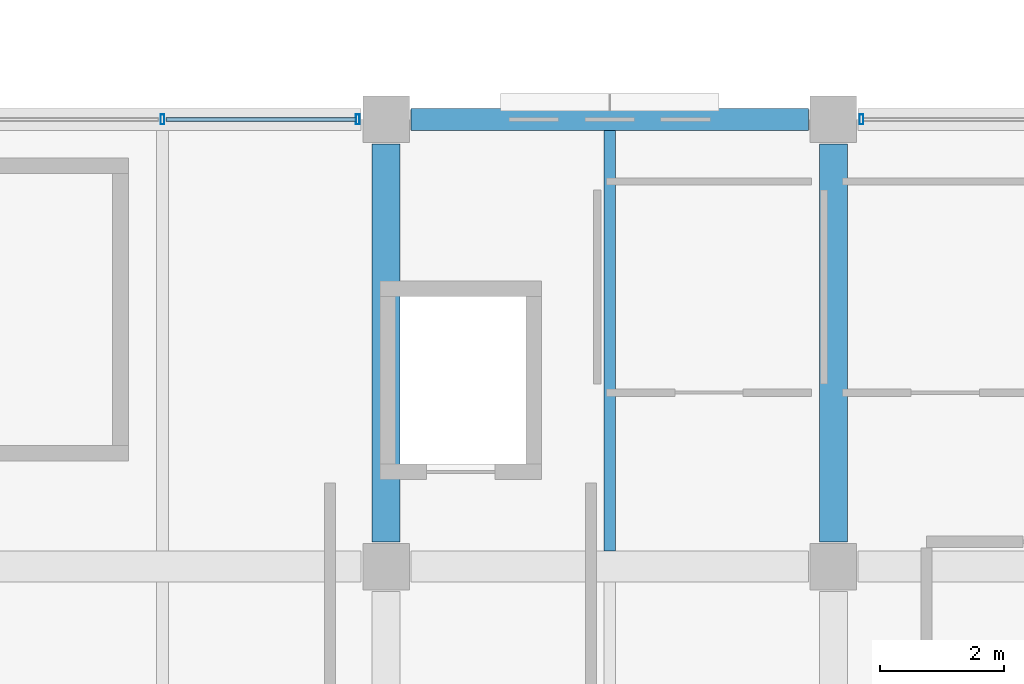
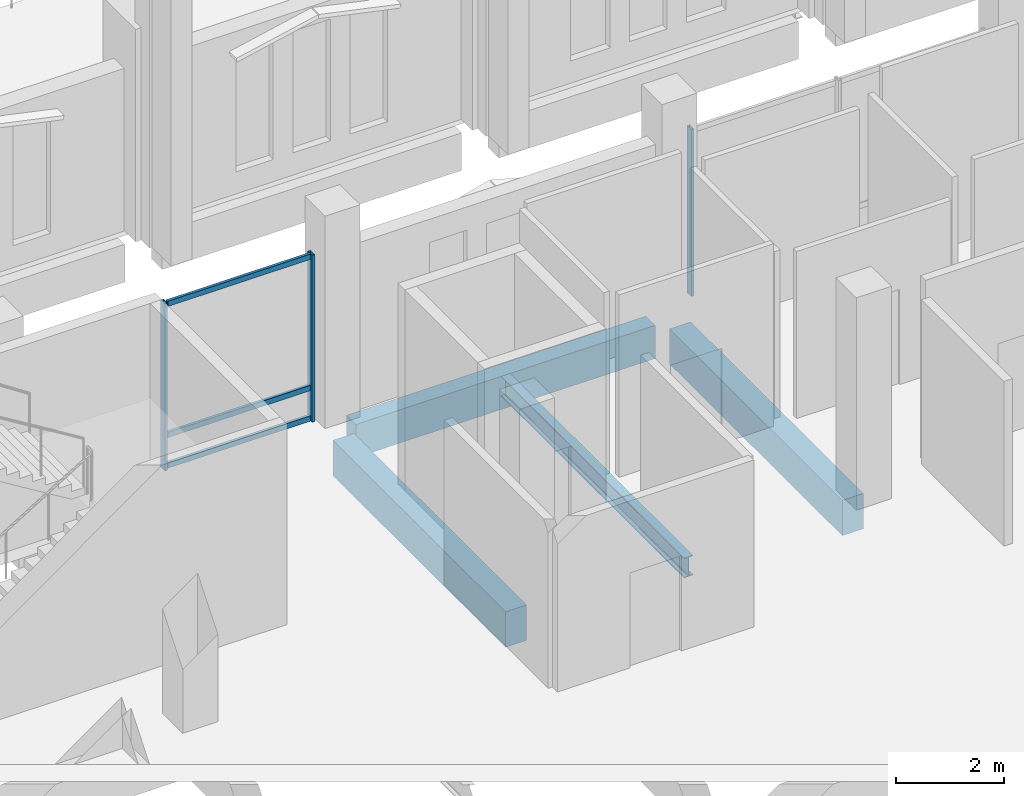
# One storey, part 75 of 193: 6 members, 4 beams, 2 elements without a shape of their own.
"""IFC4 building model written with IfcOpenShell, lengths in metres."""

from ifc_helpers import new_model, si_unit, direction, frame, origin, origin_2d, place, context, subcontext, project, spatial, rectangle, hollow_rectangle, i_section, extrude, material, material_profile, profile_set, type_object, element, aggregate, save


model = new_model("IFC4")

# Units and contexts
model_context = context("Model", 3, precision=1e-05, world=origin(), true_north=direction((0.0, 1.0)))
body_context = subcontext(model_context, "Body", "Model", "MODEL_VIEW")
ifc_project = project(units=[si_unit("LENGTHUNIT", "METRE"), si_unit("AREAUNIT", "SQUARE_METRE"), si_unit("VOLUMEUNIT", "CUBIC_METRE"), si_unit("PLANEANGLEUNIT", "RADIAN"), si_unit("MASSUNIT", "GRAM", prefix="KILO")], contexts=[model_context])

# Site, building, storey
site_placement = place(None, origin())
site = spatial("IfcSite", under=ifc_project, at=site_placement, CompositionType="ELEMENT")
building_placement = place(site_placement, origin())
building = spatial("IfcBuilding", under=site, at=building_placement, Name="Cendralis Lancet Convention Centre", CompositionType="ELEMENT")
storey_placement = place(building_placement, frame((0.0, 0.0, 10.199951171875)))
storey = spatial("IfcBuildingStorey", under=building, at=storey_placement, Name="L02", CompositionType="ELEMENT", Elevation=10.199951171875)

# Curtain wall, members
ifc_material_1 = material(Name="Anodised bronze architectural aluminium", Category="aluminium")
curtain_wall_type = type_object("IfcCurtainWallType", Name="ARC-CW-CL02", PredefinedType="USERDEFINED", material=ifc_material_1)
curtain_wall_1_placement = place(storey_placement, origin())
curtain_wall_1 = element("IfcCurtainWall", 1, at=curtain_wall_1_placement, inside=storey, type_object=curtain_wall_type, Name="L02 Curtain Wall CW-CL2 #186", ObjectType="CURTAIN WALL", PredefinedType="USERDEFINED")
ifc_material_profile_1 = material_profile(ifc_material_1, hollow_rectangle(XDim=0.06005859375, YDim=0.159912109375, WallThickness=0.00390625, at=origin_2d()), Name="AL-MULL 60x160x4.0")
ifc_profile_set_1 = profile_set([ifc_material_profile_1], Name="Anodised bronze architectural aluminium")
member_type_1 = type_object("IfcMemberType", Name="ARC-CW-ML01", PredefinedType="MULLION", material=ifc_profile_set_1)
member_1_placement = place(storey_placement, frame((178.800048828125, 36.0, 0.0), z_axis=(0.0, 0.0, 1.0), x_axis=(1.0, 0.0, 0.0)))
member_1 = element("IfcMember", 2, at=member_1_placement, type_object=member_type_1, Name="Mullion CW2-CW-CL2-L02-186-M1", PredefinedType="MULLION", context=body_context, shape_type="SweptSolid", body=[
    extrude(hollow_rectangle(XDim=0.06005859375, YDim=0.159912109375, WallThickness=0.00390625, at=origin_2d()), origin(), (0.0, 0.0, 1.0), 3.775146484375),
])
member_2_placement = place(storey_placement, frame((181.945068359375, 36.0, 0.0), z_axis=(0.0, 0.0, 1.0), x_axis=(1.0, 0.0, 0.0)))
member_2 = element("IfcMember", 3, at=member_2_placement, type_object=member_type_1, Name="Mullion CW2-CW-CL2-L02-186-M2", PredefinedType="MULLION", context=body_context, shape_type="SweptSolid", body=[
    extrude(hollow_rectangle(XDim=0.06005859375, YDim=0.159912109375, WallThickness=0.00390625, at=origin_2d()), origin(), (0.0, 0.0, 1.0), 3.775146484375),
])

# Curtain wall, member
curtain_wall_2_placement = place(storey_placement, origin())
curtain_wall_2 = element("IfcCurtainWall", 4, at=curtain_wall_2_placement, inside=storey, type_object=curtain_wall_type, Name="L02 Curtain Wall CW-CL2 #187", ObjectType="CURTAIN WALL", PredefinedType="USERDEFINED")
member_3_placement = place(storey_placement, frame((190.054931640625, 36.0, 0.0), z_axis=(0.0, 0.0, 1.0), x_axis=(1.0, 0.0, 0.0)))
member_3 = element("IfcMember", 5, at=member_3_placement, type_object=member_type_1, Name="Mullion CW2-CW-CL2-L02-187-M0", PredefinedType="MULLION", context=body_context, shape_type="SweptSolid", body=[
    extrude(hollow_rectangle(XDim=0.06005859375, YDim=0.159912109375, WallThickness=0.00390625, at=origin_2d()), origin(), (0.0, 0.0, 1.0), 3.775146484375),
])
aggregate(curtain_wall_2, [member_3])

# Member
ifc_material_profile_2 = material_profile(ifc_material_1, hollow_rectangle(XDim=0.06005859375, YDim=0.1201171875, WallThickness=0.00390625, at=origin_2d()), Name="AL-TRAN 60x120x4.0")
ifc_profile_set_2 = profile_set([ifc_material_profile_2], Name="Anodised bronze architectural aluminium")
member_type_2 = type_object("IfcMemberType", Name="ARC-CW-TR01", PredefinedType="USERDEFINED", material=ifc_profile_set_2)
member_4_placement = place(storey_placement, frame((178.860107421875, 36.0, 0.06005859375), z_axis=(1.0, 0.0, 0.0), x_axis=(0.0, 1.0, 0.0)))
member_4 = element("IfcMember", 6, at=member_4_placement, type_object=member_type_2, Name="Transom CW2-CW-CL2-L02-186-T1BOT", ObjectType="TRANSOM", PredefinedType="USERDEFINED", context=body_context, shape_type="SweptSolid", body=[
    extrude(hollow_rectangle(XDim=0.06005859375, YDim=0.1201171875, WallThickness=0.00390625, at=origin_2d()), origin(), (0.0, 0.0, 1.0), 3.054931640625),
])

member_5_placement = place(storey_placement, frame((178.860107421875, 36.0, 0.75), z_axis=(1.0, 0.0, 0.0), x_axis=(0.0, 1.0, 0.0)))
member_5 = element("IfcMember", 7, at=member_5_placement, type_object=member_type_2, Name="Transom CW2-CW-CL2-L02-186-T1MID", ObjectType="TRANSOM", PredefinedType="USERDEFINED", context=body_context, shape_type="SweptSolid", body=[
    extrude(hollow_rectangle(XDim=0.06005859375, YDim=0.1201171875, WallThickness=0.00390625, at=origin_2d()), origin(), (0.0, 0.0, 1.0), 3.054931640625),
])

member_6_placement = place(storey_placement, frame((178.860107421875, 36.0, 3.715087890625), z_axis=(1.0, 0.0, 0.0), x_axis=(0.0, 1.0, 0.0)))
member_6 = element("IfcMember", 8, at=member_6_placement, type_object=member_type_2, Name="Transom CW2-CW-CL2-L02-186-T1TOP", ObjectType="TRANSOM", PredefinedType="USERDEFINED", context=body_context, shape_type="SweptSolid", body=[
    extrude(hollow_rectangle(XDim=0.06005859375, YDim=0.1201171875, WallThickness=0.00390625, at=origin_2d()), origin(), (0.0, 0.0, 1.0), 3.054931640625),
])

aggregate(curtain_wall_1, [member_1, member_2, member_4, member_5, member_6])

# Beams
ifc_material_2 = material(Name="Concrete G35 (C35/45)", Category="concrete")
ifc_material_profile_3 = material_profile(ifc_material_2, rectangle(XDim=0.449951171875, YDim=0.800048828125, at=origin_2d()), Name="RCB 450x800")
ifc_profile_set_3 = profile_set([ifc_material_profile_3], Name="Concrete G35 (C35/45)")
beam_type_1 = type_object("IfcBeamType", Name="STR-BM-BG10", PredefinedType="BEAM", material=ifc_profile_set_3)
for number, where, z_axis, x_axis, name in (
    (9, (182.39990234375, 29.199951171875, -0.699951171875), (0.0, 1.0, 0.0), (-1.0, 0.0, 0.0), "L02 Beam BG10 #0332"),
    (10, (189.60009765625, 29.199951171875, -0.699951171875), (0.0, 1.0, 0.0), (-1.0, 0.0, 0.0), "L02 Beam BG10 #0336"),
):
    element("IfcBeam", number, at=place(storey_placement, frame(where, z_axis=z_axis, x_axis=x_axis)), inside=storey, type_object=beam_type_1, Name=name, PredefinedType="BEAM", context=body_context, shape_type="SweptSolid", body=[
        extrude(rectangle(XDim=0.449951171875, YDim=0.800048828125, at=origin_2d()), origin(), (0.0, 0.0, 1.0), 6.400146484375),
    ])
ifc_material_3 = material(Name="Steel S355", Category="steel")
ifc_material_profile_4 = material_profile(ifc_material_3, i_section(OverallWidth=0.18994140625, OverallDepth=0.449951171875, WebThickness=0.009521484375, FlangeThickness=0.0146484375, FilletRadius=0.02099609375, at=origin_2d()), Name="IPE 450")
ifc_profile_set_4 = profile_set([ifc_material_profile_4], Name="Steel S355")
beam_type_2 = type_object("IfcBeamType", Name="STR-JS-BJ07", PredefinedType="JOIST", material=ifc_profile_set_4)
beam_1_placement = place(storey_placement, frame((186.0, 29.050048828125, -0.52490234375), z_axis=(0.0, 1.0, 0.0), x_axis=(-1.0, 0.0, 0.0)))
element("IfcBeam", 11, at=beam_1_placement, inside=storey, type_object=beam_type_2, Name="L02 Beam BJ07 #0371", PredefinedType="JOIST", context=body_context, shape_type="SweptSolid", body=[
    extrude(i_section(OverallWidth=0.18994140625, OverallDepth=0.449951171875, WebThickness=0.009521484375, FlangeThickness=0.0146484375, FilletRadius=0.02099609375, at=origin_2d()), origin(), (0.0, 0.0, 1.0), 6.77490234375),
])
ifc_material_4 = material(Name="Concrete G40 (C40/50)", Category="concrete")
ifc_material_profile_5 = material_profile(ifc_material_4, rectangle(XDim=0.35009765625, YDim=0.75, at=origin_2d()), Name="RCB 350x750")
ifc_profile_set_5 = profile_set([ifc_material_profile_5], Name="Concrete G40 (C40/50)")
beam_type_3 = type_object("IfcBeamType", Name="STR-SP-SP01", PredefinedType="SPANDREL", material=ifc_profile_set_5)
beam_2_placement = place(storey_placement, frame((182.800048828125, 36.0, -0.675048828125), z_axis=(1.0, 0.0, 0.0), x_axis=(0.0, 1.0, 0.0)))
element("IfcBeam", 12, at=beam_2_placement, inside=storey, type_object=beam_type_3, Name="L02 Beam SP01 #0300", PredefinedType="SPANDREL", context=body_context, shape_type="SweptSolid", body=[
    extrude(rectangle(XDim=0.35009765625, YDim=0.75, at=origin_2d()), origin(), (0.0, 0.0, 1.0), 6.39990234375),
])

save(model, "model.ifc")
